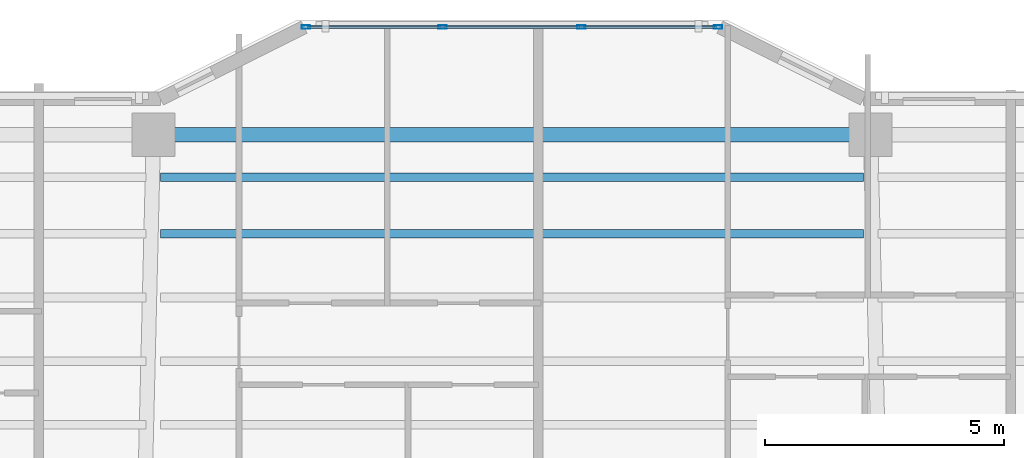
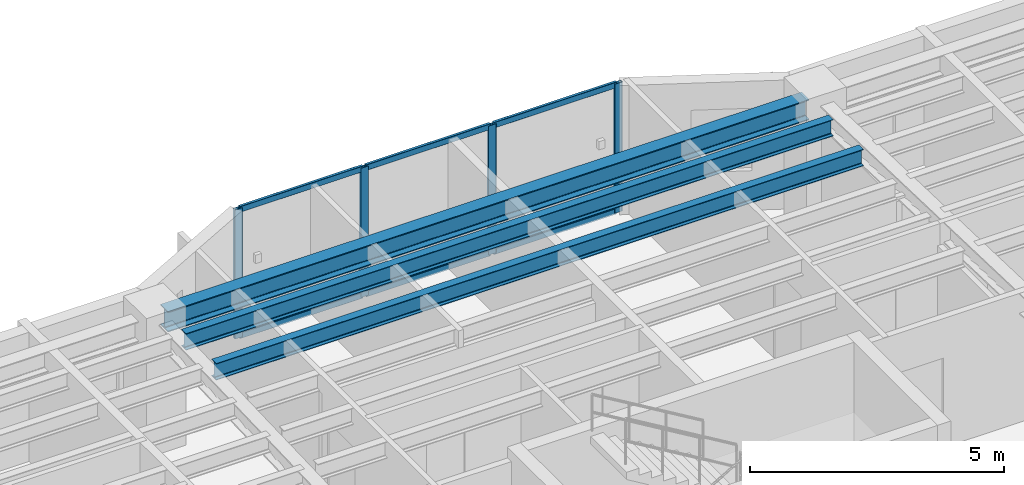
# One storey, part 4 of 16: 10 members, 3 beams, 1 element without a shape of its own.
"""IFC4 building model written with IfcOpenShell, lengths in metres."""

from ifc_helpers import new_model, si_unit, direction, frame, origin, origin_2d, place, context, subcontext, project, spatial, hollow_rectangle, i_section, extrude, material, layer, layer_set, material_profile, profile_set, type_object, element, aggregate, save


model = new_model("IFC4")

# Units and contexts
model_context = context("Model", 3, precision=1e-05, world=origin(), true_north=direction((0.0, 1.0)))
body_context = subcontext(model_context, "Body", "Model", "MODEL_VIEW")
ifc_project = project(units=[si_unit("LENGTHUNIT", "METRE"), si_unit("AREAUNIT", "SQUARE_METRE"), si_unit("VOLUMEUNIT", "CUBIC_METRE"), si_unit("PLANEANGLEUNIT", "RADIAN"), si_unit("MASSUNIT", "GRAM", prefix="KILO")], contexts=[model_context])

# Site, building, storey
site_placement = place(None, origin())
site = spatial("IfcSite", under=ifc_project, at=site_placement, CompositionType="ELEMENT")
building_placement = place(site_placement, origin())
building = spatial("IfcBuilding", under=site, at=building_placement, Name="Tarnavaz Court Tower", CompositionType="ELEMENT")
storey_placement = place(building_placement, frame((0.0, 0.0, 156.050048828125)))
storey = spatial("IfcBuildingStorey", under=building, at=storey_placement, Name="L42", CompositionType="ELEMENT", Elevation=156.050048828125)

# Beams
ifc_material_1 = material(Name="Steel S355", Category="steel")
ifc_material_profile_1 = material_profile(ifc_material_1, i_section(OverallWidth=0.179931640625, OverallDepth=0.39990234375, WebThickness=0.008544921875, FlangeThickness=0.013427734375, FilletRadius=0.02099609375, at=origin_2d()), Name="IPE 400")
ifc_profile_set_1 = profile_set([ifc_material_profile_1], Name="Steel S355")
beam_type_1 = type_object("IfcBeamType", Name="BM-J-IPE400", PredefinedType="JOIST", material=ifc_profile_set_1)
for number, where, z_axis, x_axis, name in (
    (1, (-7.35009765625, 18.327880859375, 2.89990234375), (1.0, 0.0, 0.0), (0.0, 1.0, 0.0), "L42 Beam JN4-2"),
    (2, (-7.35009765625, 19.511962890625, 2.89990234375), (1.0, 0.0, 0.0), (0.0, 1.0, 0.0), "L42 Beam JN5-2"),
):
    element("IfcBeam", number, at=place(storey_placement, frame(where, z_axis=z_axis, x_axis=x_axis)), inside=storey, type_object=beam_type_1, Name=name, PredefinedType="JOIST", context=body_context, shape_type="SweptSolid", body=[
        extrude(i_section(OverallWidth=0.179931640625, OverallDepth=0.39990234375, WebThickness=0.008544921875, FlangeThickness=0.013427734375, FilletRadius=0.02099609375, at=origin_2d()), origin(), (0.0, 0.0, 1.0), 14.7001953125),
    ])
ifc_material_profile_2 = material_profile(ifc_material_1, i_section(OverallWidth=0.300048828125, OverallDepth=0.489990234375, WebThickness=0.011962890625, FlangeThickness=0.02294921875, FilletRadius=0.027099609375, at=origin_2d()), Name="HEA 500")
ifc_profile_set_2 = profile_set([ifc_material_profile_2], Name="Steel S355")
beam_type_2 = type_object("IfcBeamType", Name="BM-SP-HEA500", PredefinedType="SPANDREL", material=ifc_profile_set_2)
beam_placement = place(storey_placement, frame((-7.280029296875, 20.39990234375, 2.85498046875), z_axis=(1.0, 0.0, 0.0), x_axis=(0.0, 1.0, 0.0)))
element("IfcBeam", 3, at=beam_placement, inside=storey, type_object=beam_type_2, Name="L42 Beam PR-PN-2-PN-3", PredefinedType="SPANDREL", context=body_context, shape_type="SweptSolid", body=[
    extrude(i_section(OverallWidth=0.300048828125, OverallDepth=0.489990234375, WebThickness=0.011962890625, FlangeThickness=0.02294921875, FilletRadius=0.027099609375, at=origin_2d()), origin(), (0.0, 0.0, 1.0), 14.56005859375),
])

# Curtain wall, members
ifc_material_2 = material(Name="Anodised Aluminium 6063-T6 and Solar Low-E Glazing", Category="aluminium")
ifc_layer = layer(ifc_material_2, 0.159912109375)
ifc_layer_set = layer_set([ifc_layer], Name="Anodised Aluminium 6063-T6 and Solar Low-E Glazing")
curtain_wall_type = type_object("IfcCurtainWallType", Name="CW-SYS-03", PredefinedType="NOTDEFINED", material=ifc_layer_set)
curtain_wall_placement = place(storey_placement, origin())
curtain_wall = element("IfcCurtainWall", 4, at=curtain_wall_placement, inside=storey, type_object=curtain_wall_type, Name="L42 Iwan Prow Curtain Wall 7", PredefinedType="NOTDEFINED")
ifc_material_3 = material(Name="Anodised Aluminium 6063-T6", Category="aluminium")
ifc_material_profile_3 = material_profile(ifc_material_3, hollow_rectangle(XDim=0.074951171875, YDim=0.179931640625, WallThickness=0.0048828125, InnerFilletRadius=0.0048828125, OuterFilletRadius=0.010009765625, at=origin_2d()), Name="ALU RHS 180X75X5")
ifc_profile_set_3 = profile_set([ifc_material_profile_3], Name="Anodised Aluminium 6063-T6")
member_type_1 = type_object("IfcMemberType", Name="CW-MUL-180", PredefinedType="MULLION", material=ifc_profile_set_3)
member_1_placement = place(storey_placement, frame((-4.3125, 22.64990234375, 0.0), z_axis=(0.0, 0.0, 1.0), x_axis=(0.0, 1.0, 0.0)))
member_1 = element("IfcMember", 5, at=member_1_placement, type_object=member_type_1, Name="CW mullion 1", PredefinedType="MULLION", context=body_context, shape_type="SweptSolid", body=[
    extrude(hollow_rectangle(XDim=0.074951171875, YDim=0.179931640625, WallThickness=0.0048828125, InnerFilletRadius=0.0048828125, OuterFilletRadius=0.010009765625, at=origin_2d()), origin(), (0.0, 0.0, 1.0), 3.099853515625),
])
member_2_placement = place(storey_placement, frame((-1.449951171875, 22.64990234375, 0.0), z_axis=(0.0, 0.0, 1.0), x_axis=(0.0, 1.0, 0.0)))
member_2 = element("IfcMember", 6, at=member_2_placement, type_object=member_type_1, Name="CW mullion 2", PredefinedType="MULLION", context=body_context, shape_type="SweptSolid", body=[
    extrude(hollow_rectangle(XDim=0.074951171875, YDim=0.179931640625, WallThickness=0.0048828125, InnerFilletRadius=0.0048828125, OuterFilletRadius=0.010009765625, at=origin_2d()), origin(), (0.0, 0.0, 1.0), 3.099853515625),
])
member_3_placement = place(storey_placement, frame((1.449951171875, 22.64990234375, 0.0), z_axis=(0.0, 0.0, 1.0), x_axis=(0.0, 1.0, 0.0)))
member_3 = element("IfcMember", 7, at=member_3_placement, type_object=member_type_1, Name="CW mullion 3", PredefinedType="MULLION", context=body_context, shape_type="SweptSolid", body=[
    extrude(hollow_rectangle(XDim=0.074951171875, YDim=0.179931640625, WallThickness=0.0048828125, InnerFilletRadius=0.0048828125, OuterFilletRadius=0.010009765625, at=origin_2d()), origin(), (0.0, 0.0, 1.0), 3.099853515625),
])
member_4_placement = place(storey_placement, frame((4.3125, 22.64990234375, 0.0), z_axis=(0.0, 0.0, 1.0), x_axis=(0.0, 1.0, 0.0)))
member_4 = element("IfcMember", 8, at=member_4_placement, type_object=member_type_1, Name="CW mullion 4", PredefinedType="MULLION", context=body_context, shape_type="SweptSolid", body=[
    extrude(hollow_rectangle(XDim=0.074951171875, YDim=0.179931640625, WallThickness=0.0048828125, InnerFilletRadius=0.0048828125, OuterFilletRadius=0.010009765625, at=origin_2d()), origin(), (0.0, 0.0, 1.0), 3.099853515625),
])
ifc_material_profile_4 = material_profile(ifc_material_3, hollow_rectangle(XDim=0.06494140625, YDim=0.139892578125, WallThickness=0.00390625, InnerFilletRadius=0.00390625, OuterFilletRadius=0.008056640625, at=origin_2d()), Name="ALU RHS 140X65X4")
ifc_profile_set_4 = profile_set([ifc_material_profile_4], Name="Anodised Aluminium 6063-T6")
member_type_2 = type_object("IfcMemberType", Name="CW-TRN-140", PredefinedType="USERDEFINED", material=ifc_profile_set_4)
member_5_placement = place(storey_placement, frame((-4.27490234375, 22.64990234375, 0.032470703125), z_axis=(1.0, 0.0, 0.0), x_axis=(0.0, 1.0, 0.0)))
member_5 = element("IfcMember", 9, at=member_5_placement, type_object=member_type_2, Name="CW transom 1.1", ObjectType="TRANSOM", PredefinedType="USERDEFINED", context=body_context, shape_type="SweptSolid", body=[
    extrude(hollow_rectangle(XDim=0.06494140625, YDim=0.139892578125, WallThickness=0.00390625, InnerFilletRadius=0.00390625, OuterFilletRadius=0.008056640625, at=origin_2d()), origin(), (0.0, 0.0, 1.0), 2.787353515625),
])
member_6_placement = place(storey_placement, frame((-4.27490234375, 22.64990234375, 3.0673828125), z_axis=(1.0, 0.0, 0.0), x_axis=(0.0, 1.0, 0.0)))
member_6 = element("IfcMember", 10, at=member_6_placement, type_object=member_type_2, Name="CW transom 1.2", ObjectType="TRANSOM", PredefinedType="USERDEFINED", context=body_context, shape_type="SweptSolid", body=[
    extrude(hollow_rectangle(XDim=0.06494140625, YDim=0.139892578125, WallThickness=0.00390625, InnerFilletRadius=0.00390625, OuterFilletRadius=0.008056640625, at=origin_2d()), origin(), (0.0, 0.0, 1.0), 2.787353515625),
])
member_7_placement = place(storey_placement, frame((-1.41259765625, 22.64990234375, 0.032470703125), z_axis=(1.0, 0.0, 0.0), x_axis=(0.0, 1.0, 0.0)))
member_7 = element("IfcMember", 11, at=member_7_placement, type_object=member_type_2, Name="CW transom 2.1", ObjectType="TRANSOM", PredefinedType="USERDEFINED", context=body_context, shape_type="SweptSolid", body=[
    extrude(hollow_rectangle(XDim=0.06494140625, YDim=0.139892578125, WallThickness=0.00390625, InnerFilletRadius=0.00390625, OuterFilletRadius=0.008056640625, at=origin_2d()), origin(), (0.0, 0.0, 1.0), 2.8251953125),
])
member_8_placement = place(storey_placement, frame((-1.41259765625, 22.64990234375, 3.0673828125), z_axis=(1.0, 0.0, 0.0), x_axis=(0.0, 1.0, 0.0)))
member_8 = element("IfcMember", 12, at=member_8_placement, type_object=member_type_2, Name="CW transom 2.2", ObjectType="TRANSOM", PredefinedType="USERDEFINED", context=body_context, shape_type="SweptSolid", body=[
    extrude(hollow_rectangle(XDim=0.06494140625, YDim=0.139892578125, WallThickness=0.00390625, InnerFilletRadius=0.00390625, OuterFilletRadius=0.008056640625, at=origin_2d()), origin(), (0.0, 0.0, 1.0), 2.8251953125),
])
member_9_placement = place(storey_placement, frame((1.487548828125, 22.64990234375, 0.032470703125), z_axis=(1.0, 0.0, 0.0), x_axis=(0.0, 1.0, 0.0)))
member_9 = element("IfcMember", 13, at=member_9_placement, type_object=member_type_2, Name="CW transom 3.1", ObjectType="TRANSOM", PredefinedType="USERDEFINED", context=body_context, shape_type="SweptSolid", body=[
    extrude(hollow_rectangle(XDim=0.06494140625, YDim=0.139892578125, WallThickness=0.00390625, InnerFilletRadius=0.00390625, OuterFilletRadius=0.008056640625, at=origin_2d()), origin(), (0.0, 0.0, 1.0), 2.787353515625),
])
member_10_placement = place(storey_placement, frame((1.487548828125, 22.64990234375, 3.0673828125), z_axis=(1.0, 0.0, 0.0), x_axis=(0.0, 1.0, 0.0)))
member_10 = element("IfcMember", 14, at=member_10_placement, type_object=member_type_2, Name="CW transom 3.2", ObjectType="TRANSOM", PredefinedType="USERDEFINED", context=body_context, shape_type="SweptSolid", body=[
    extrude(hollow_rectangle(XDim=0.06494140625, YDim=0.139892578125, WallThickness=0.00390625, InnerFilletRadius=0.00390625, OuterFilletRadius=0.008056640625, at=origin_2d()), origin(), (0.0, 0.0, 1.0), 2.787353515625),
])
aggregate(curtain_wall, [member_1, member_2, member_3, member_4, member_5, member_6, member_7, member_8, member_9, member_10])

save(model, "model.ifc")
